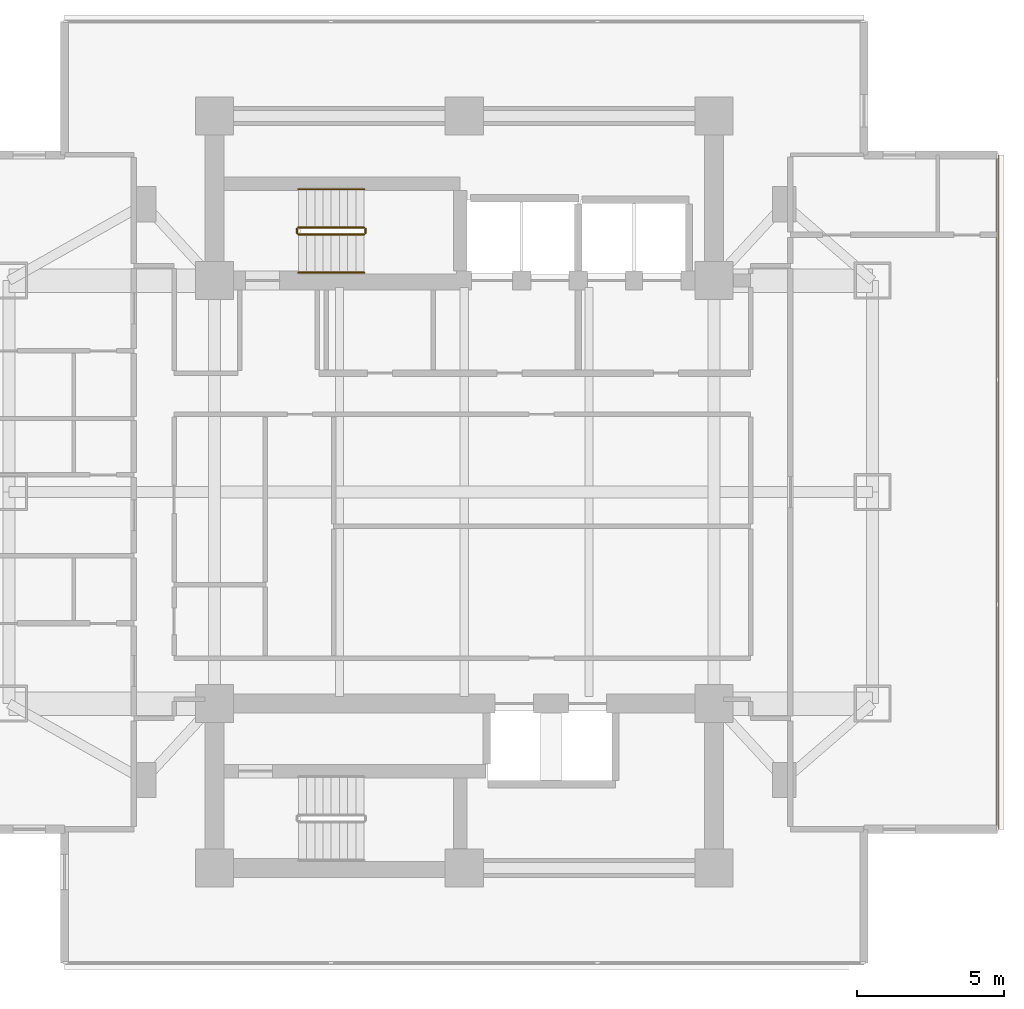
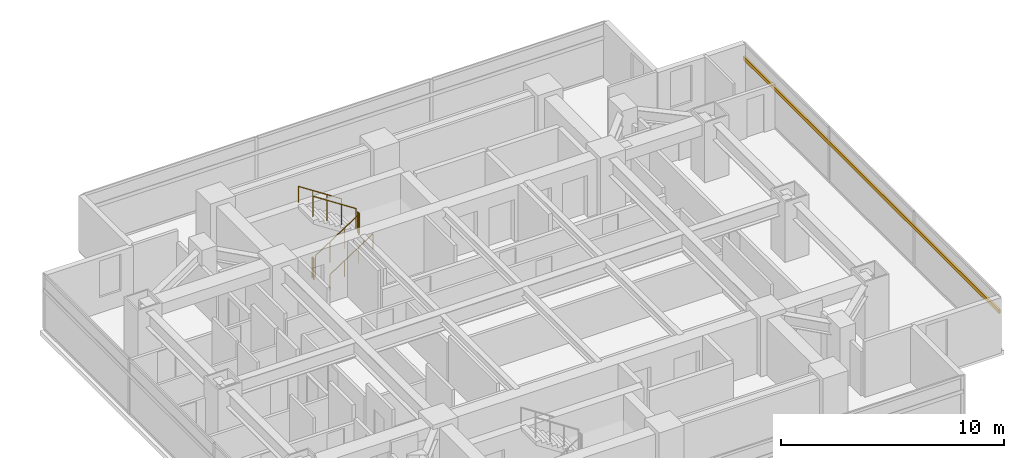
# One storey, part 23 of 24: 6 railings, 1 shading device.
"""IFC4 building model written with IfcOpenShell, lengths in metres."""

from ifc_helpers import new_model, si_unit, direction, frame, origin, origin_2d, place, context, subcontext, project, spatial, rectangle, circle, extrude, material, material_profile, profile_set, type_object, element, save


model = new_model("IFC4")

# Units and contexts
model_context = context("Model", 3, precision=1e-05, world=origin(), true_north=direction((0.0, 1.0)))
body_context = subcontext(model_context, "Body", "Model", "MODEL_VIEW")
ifc_project = project(units=[si_unit("LENGTHUNIT", "METRE"), si_unit("AREAUNIT", "SQUARE_METRE"), si_unit("VOLUMEUNIT", "CUBIC_METRE"), si_unit("PLANEANGLEUNIT", "RADIAN"), si_unit("MASSUNIT", "GRAM", prefix="KILO")], contexts=[model_context])

# Site, building, storey
site_placement = place(None, origin())
site = spatial("IfcSite", under=ifc_project, at=site_placement, CompositionType="ELEMENT")
building_placement = place(site_placement, origin())
building = spatial("IfcBuilding", under=site, at=building_placement, Name="Mirazonda Arch Towers", CompositionType="ELEMENT")
storey_placement = place(building_placement, frame((0.0, 0.0, 62.0)))
storey = spatial("IfcBuildingStorey", under=building, at=storey_placement, Name="L17", CompositionType="ELEMENT", Elevation=62.0)

# Shading device
ifc_material_1 = material(Name="Kiln-Fired Architectural Terracotta", Category="masonry")
ifc_material_profile = material_profile(ifc_material_1, rectangle(XDim=0.10009765625, YDim=0.199951171875, at=origin_2d()), Name="TERRA-BAG-100x200")
ifc_profile_set = profile_set([ifc_material_profile], Name="Kiln-Fired Architectural Terracotta")
shading_device_type = type_object("IfcShadingDeviceType", Name="BAGUETTE-2", PredefinedType="USERDEFINED", material=ifc_profile_set)
shading_device_placement = place(storey_placement, frame((94.654052734375, 16.52001953125, 2.188720703125), z_axis=(0.0, 1.0, 0.0), x_axis=(-1.0, 0.0, 0.0)))
element("IfcShadingDevice", 1, at=shading_device_placement, inside=storey, type_object=shading_device_type, Name="L17 Glazed Terracotta Sun-Screen Baguette CW-L17-T2-E", ObjectType="BAGUETTE", PredefinedType="USERDEFINED", context=body_context, shape_type="SweptSolid", body=[
    extrude(rectangle(XDim=0.10009765625, YDim=0.199951171875, at=origin_2d()), origin(), (0.0, 0.0, 1.0), 22.9599609375),
])

# Railings
ifc_material_2 = material(Name="Architectural Brushed Steel S355", Category="steel")
railing_type_1 = type_object("IfcRailingType", Name="GUARD-STAIR-1120", PredefinedType="GUARDRAIL", material=ifc_material_2)
railing_1_placement = place(storey_placement, frame((70.85009765625, 36.77001953125, 0.183349609375)))
element("IfcRailing", 2, at=railing_1_placement, inside=storey, type_object=railing_type_1, Name="L17 ST-T2N stair guard 1", PredefinedType="GUARDRAIL", context=body_context, shape_type="SweptSolid", body=[
    extrude(circle(Radius=0.02392578125, at=origin_2d()), frame((0.0, 0.0, 1.1259765625), z_axis=(0.836636935527, 0.0, 0.547757827979), x_axis=(0.0, 1.0, 0.0)), (0.0, 0.0, 1.0), 2.677490234375),
    extrude(circle(Radius=0.02099609375, at=origin_2d()), origin(), (0.0, 0.0, 1.0), 1.101806640625),
    extrude(circle(Radius=0.02099609375, at=origin_2d()), frame((0.74658203125, 0.0, 0.48876953125)), (0.0, 0.0, 1.0), 1.101806640625),
    extrude(circle(Radius=0.02099609375, at=origin_2d()), frame((1.493408203125, 0.0, 0.977783203125)), (0.0, 0.0, 1.0), 1.101806640625),
    extrude(circle(Radius=0.02099609375, at=origin_2d()), frame((2.239990234375, 0.0, 1.466552734375)), (0.0, 0.0, 1.0), 1.101806640625),
])
railing_2_placement = place(storey_placement, frame((73.139892578125, 36.820068359375, 1.64990234375)))
element("IfcRailing", 3, at=railing_2_placement, inside=storey, type_object=railing_type_1, Name="L17 ST-T2N stair guard 2", PredefinedType="GUARDRAIL", context=body_context, shape_type="SweptSolid", body=[
    extrude(circle(Radius=0.02392578125, at=origin_2d()), frame((0.0, 0.0, 1.1259765625), z_axis=(0.0, 1.0, 0.0), x_axis=(-1.0, 0.0, 0.0)), (0.0, 0.0, 1.0), 0.139892578125),
    extrude(circle(Radius=0.02099609375, at=origin_2d()), origin(), (0.0, 0.0, 1.0), 1.101806640625),
    extrude(circle(Radius=0.02099609375, at=origin_2d()), frame((0.0, 0.139892578125, 0.0)), (0.0, 0.0, 1.0), 1.101806640625),
])
railing_3_placement = place(storey_placement, frame((73.090087890625, 37.010009765625, 1.833251953125)))
element("IfcRailing", 4, at=railing_3_placement, inside=storey, type_object=railing_type_1, Name="L17 ST-T2N stair guard 3", PredefinedType="GUARDRAIL", context=body_context, shape_type="SweptSolid", body=[
    extrude(circle(Radius=0.02392578125, at=origin_2d()), frame((0.0, 0.0, 1.1259765625), z_axis=(-0.836595146698, 0.0, 0.547821650285), x_axis=(0.0, -1.0, 0.0)), (0.0, 0.0, 1.0), 2.677490234375),
    extrude(circle(Radius=0.02099609375, at=origin_2d()), origin(), (0.0, 0.0, 1.0), 1.101806640625),
    extrude(circle(Radius=0.02099609375, at=origin_2d()), frame((-0.74658203125, 0.0, 0.489013671875)), (0.0, 0.0, 1.0), 1.101806640625),
    extrude(circle(Radius=0.02099609375, at=origin_2d()), frame((-1.493408203125, 0.0, 0.977783203125)), (0.0, 0.0, 1.0), 1.101806640625),
    extrude(circle(Radius=0.02099609375, at=origin_2d()), frame((-2.239990234375, 0.0, 1.466796875)), (0.0, 0.0, 1.0), 1.101806640625),
])
railing_4_placement = place(storey_placement, frame((70.800048828125, 36.820068359375, 0.0)))
element("IfcRailing", 5, at=railing_4_placement, inside=storey, type_object=railing_type_1, Name="L17 ST-T2N stair guard 4", PredefinedType="GUARDRAIL", context=body_context, shape_type="SweptSolid", body=[
    extrude(circle(Radius=0.02392578125, at=origin_2d()), frame((0.0, 0.0, 1.1259765625), z_axis=(0.0, 1.0, 0.0), x_axis=(-1.0, 0.0, 0.0)), (0.0, 0.0, 1.0), 0.139892578125),
    extrude(circle(Radius=0.02099609375, at=origin_2d()), origin(), (0.0, 0.0, 1.0), 1.101806640625),
    extrude(circle(Radius=0.02099609375, at=origin_2d()), frame((0.0, 0.139892578125, 0.0)), (0.0, 0.0, 1.0), 1.101806640625),
])
railing_type_2 = type_object("IfcRailingType", Name="HANDRAIL-915", PredefinedType="HANDRAIL", material=ifc_material_2)
railing_5_placement = place(storey_placement, frame((70.85009765625, 35.469970703125, 0.183349609375)))
element("IfcRailing", 6, at=railing_5_placement, inside=storey, type_object=railing_type_2, Name="L17 ST-T2N stair handrail 1", PredefinedType="HANDRAIL", context=body_context, shape_type="SweptSolid", body=[
    extrude(circle(Radius=0.02392578125, at=origin_2d()), frame((0.0, 0.0, 0.8759765625), z_axis=(0.836636935527, 0.0, 0.547757827979), x_axis=(0.0, 1.0, 0.0)), (0.0, 0.0, 1.0), 2.677490234375),
    extrude(circle(Radius=0.02099609375, at=origin_2d()), origin(), (0.0, 0.0, 1.0), 0.851806640625),
    extrude(circle(Radius=0.02099609375, at=origin_2d()), frame((0.74658203125, 0.0, 0.48876953125)), (0.0, 0.0, 1.0), 0.851806640625),
    extrude(circle(Radius=0.02099609375, at=origin_2d()), frame((1.493408203125, 0.0, 0.977783203125)), (0.0, 0.0, 1.0), 0.851806640625),
    extrude(circle(Radius=0.02099609375, at=origin_2d()), frame((2.239990234375, 0.0, 1.466552734375)), (0.0, 0.0, 1.0), 0.851806640625),
])
railing_6_placement = place(storey_placement, frame((73.090087890625, 38.31005859375, 1.833251953125)))
element("IfcRailing", 7, at=railing_6_placement, inside=storey, type_object=railing_type_2, Name="L17 ST-T2N stair handrail 2", PredefinedType="HANDRAIL", context=body_context, shape_type="SweptSolid", body=[
    extrude(circle(Radius=0.02392578125, at=origin_2d()), frame((0.0, 0.0, 0.8759765625), z_axis=(-0.836595146698, 0.0, 0.547821650285), x_axis=(0.0, -1.0, 0.0)), (0.0, 0.0, 1.0), 2.677490234375),
    extrude(circle(Radius=0.02099609375, at=origin_2d()), origin(), (0.0, 0.0, 1.0), 0.851806640625),
    extrude(circle(Radius=0.02099609375, at=origin_2d()), frame((-0.74658203125, 0.0, 0.489013671875)), (0.0, 0.0, 1.0), 0.851806640625),
    extrude(circle(Radius=0.02099609375, at=origin_2d()), frame((-1.493408203125, 0.0, 0.977783203125)), (0.0, 0.0, 1.0), 0.851806640625),
    extrude(circle(Radius=0.02099609375, at=origin_2d()), frame((-2.239990234375, 0.0, 1.466796875)), (0.0, 0.0, 1.0), 0.851806640625),
])

save(model, "model.ifc")
